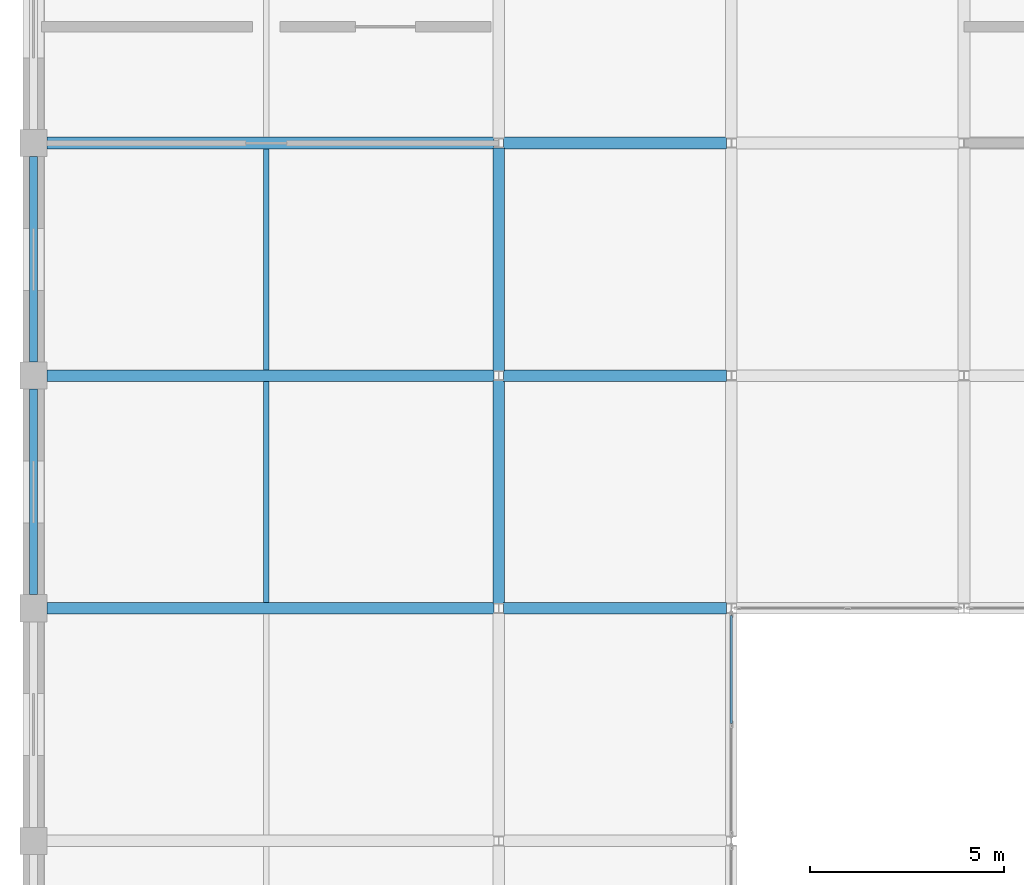
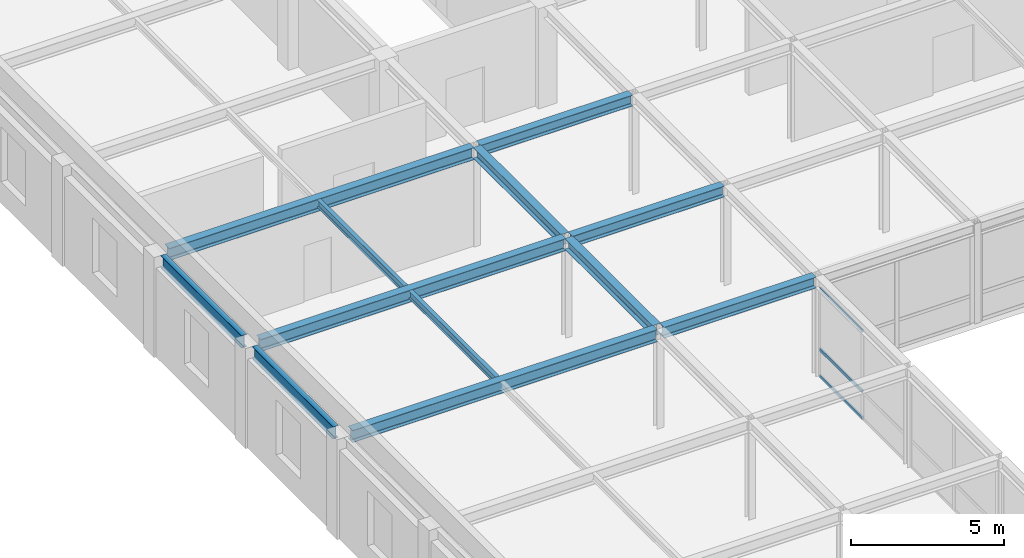
# One storey, part 70 of 111: 12 beams, 3 members, 1 element without a shape of its own.
"""IFC4 building model written with IfcOpenShell, lengths in metres."""

from ifc_helpers import new_model, si_unit, direction, frame, origin, origin_2d, place, context, subcontext, project, spatial, hollow_rectangle, i_section, extrude, material, layer, layer_set, material_profile, profile_set, type_object, element, aggregate, save


model = new_model("IFC4")

# Units and contexts
model_context = context("Model", 3, precision=1e-05, world=origin(), true_north=direction((0.0, 1.0)))
body_context = subcontext(model_context, "Body", "Model", "MODEL_VIEW")
ifc_project = project(units=[si_unit("LENGTHUNIT", "METRE"), si_unit("AREAUNIT", "SQUARE_METRE"), si_unit("VOLUMEUNIT", "CUBIC_METRE"), si_unit("PLANEANGLEUNIT", "RADIAN"), si_unit("MASSUNIT", "GRAM", prefix="KILO")], contexts=[model_context])

# Site, building, storey
site_placement = place(None, origin())
site = spatial("IfcSite", under=ifc_project, at=site_placement, CompositionType="ELEMENT")
building_placement = place(site_placement, origin())
building = spatial("IfcBuilding", under=site, at=building_placement, Name="Zlatovratsky Civic Hall", CompositionType="ELEMENT")
storey_placement = place(building_placement, frame((0.0, 0.0, 16.5)))
storey = spatial("IfcBuildingStorey", under=building, at=storey_placement, Name="L04", CompositionType="ELEMENT", Elevation=16.5)

# Beams
ifc_material_1 = material(Name="Steel S355", Category="steel")
ifc_material_profile_1 = material_profile(ifc_material_1, i_section(OverallWidth=0.300048828125, OverallDepth=0.487060546875, WebThickness=0.014404296875, FlangeThickness=0.017578125, FilletRadius=0.02392578125, at=origin_2d()), Name="50Sh2")
ifc_profile_set_1 = profile_set([ifc_material_profile_1], Name="Steel S355")
beam_type_1 = type_object("IfcBeamType", Name="Beam_ArchiveGirder_50Sh2", PredefinedType="BEAM", material=ifc_profile_set_1)
for number, where, z_axis, x_axis, name in (
    (1, (0.35009765625, 66.0, 3.756591796875), (1.0, 0.0, 0.0), (0.0, 1.0, 0.0), "BM-3330"),
    (2, (0.35009765625, 72.0, 3.756591796875), (1.0, 0.0, 0.0), (0.0, 1.0, 0.0), "BM-3346"),
    (3, (0.35009765625, 78.0, 3.756591796875), (1.0, 0.0, 0.0), (0.0, 1.0, 0.0), "BM-3362"),
):
    element("IfcBeam", number, at=place(storey_placement, frame(where, z_axis=z_axis, x_axis=x_axis)), inside=storey, type_object=beam_type_1, Name=name, PredefinedType="BEAM", context=body_context, shape_type="SweptSolid", body=[
        extrude(i_section(OverallWidth=0.300048828125, OverallDepth=0.487060546875, WebThickness=0.014404296875, FlangeThickness=0.017578125, FilletRadius=0.02392578125, at=origin_2d()), origin(), (0.0, 0.0, 1.0), 11.52490234375),
    ])
ifc_material_profile_2 = material_profile(ifc_material_1, i_section(OverallWidth=0.198974609375, OverallDepth=0.491943359375, WebThickness=0.0087890625, FlangeThickness=0.011962890625, FilletRadius=0.01611328125, at=origin_2d()), Name="50B1")
ifc_profile_set_2 = profile_set([ifc_material_profile_2], Name="Steel S355")
beam_type_2 = type_object("IfcBeamType", Name="Beam_Spandrel_50B1", PredefinedType="SPANDREL", material=ifc_profile_set_2)
for number, where, z_axis, x_axis, name in (
    (4, (0.0, 66.35009765625, 3.75390625), (0.0, 1.0, 0.0), (-1.0, 0.0, 0.0), "BM-3521"),
    (5, (0.0, 72.35009765625, 3.75390625), (0.0, 1.0, 0.0), (-1.0, 0.0, 0.0), "BM-3522"),
):
    element("IfcBeam", number, at=place(storey_placement, frame(where, z_axis=z_axis, x_axis=x_axis)), inside=storey, type_object=beam_type_2, Name=name, PredefinedType="SPANDREL", context=body_context, shape_type="SweptSolid", body=[
        extrude(i_section(OverallWidth=0.198974609375, OverallDepth=0.491943359375, WebThickness=0.0087890625, FlangeThickness=0.011962890625, FilletRadius=0.01611328125, at=origin_2d()), origin(), (0.0, 0.0, 1.0), 5.2998046875),
    ])
ifc_material_profile_3 = material_profile(ifc_material_1, i_section(OverallWidth=0.300048828125, OverallDepth=0.43994140625, WebThickness=0.010986328125, FlangeThickness=0.01806640625, FilletRadius=0.02197265625, at=origin_2d()), Name="45Sh1")
ifc_profile_set_3 = profile_set([ifc_material_profile_3], Name="Steel S355")
beam_type_3 = type_object("IfcBeamType", Name="Beam_TowerLow_45Sh1", PredefinedType="BEAM", material=ifc_profile_set_3)
for number, where, z_axis, x_axis, name in (
    (6, (12.125, 66.0, 3.780029296875), (1.0, 0.0, 0.0), (0.0, 1.0, 0.0), "BM-3331"),
    (7, (12.125, 72.0, 3.780029296875), (1.0, 0.0, 0.0), (0.0, 1.0, 0.0), "BM-3347"),
    (8, (12.125, 78.0, 3.780029296875), (1.0, 0.0, 0.0), (0.0, 1.0, 0.0), "BM-3363"),
    (9, (12.0, 66.125, 3.780029296875), (0.0, 1.0, 0.0), (-1.0, 0.0, 0.0), "BM-3538"),
    (10, (12.0, 72.125, 3.780029296875), (0.0, 1.0, 0.0), (-1.0, 0.0, 0.0), "BM-3539"),
):
    element("IfcBeam", number, at=place(storey_placement, frame(where, z_axis=z_axis, x_axis=x_axis)), inside=storey, type_object=beam_type_3, Name=name, PredefinedType="BEAM", context=body_context, shape_type="SweptSolid", body=[
        extrude(i_section(OverallWidth=0.300048828125, OverallDepth=0.43994140625, WebThickness=0.010986328125, FlangeThickness=0.01806640625, FilletRadius=0.02197265625, at=origin_2d()), origin(), (0.0, 0.0, 1.0), 5.75),
    ])

# Curtain wall, members
ifc_material_2 = material(Name="Anodised bronze aluminium", Category="aluminium")
ifc_layer = layer(ifc_material_2, 0.159912109375)
ifc_layer_set = layer_set([ifc_layer], Name="Anodised bronze aluminium")
curtain_wall_type = type_object("IfcCurtainWallType", Name="CurtainWall_Bronze_5750x3550_18", PredefinedType="NOTDEFINED", material=ifc_layer_set)
curtain_wall_placement = place(storey_placement, origin())
curtain_wall = element("IfcCurtainWall", 11, at=curtain_wall_placement, inside=storey, type_object=curtain_wall_type, Name="CW-104", PredefinedType="NOTDEFINED")
ifc_material_profile_4 = material_profile(ifc_material_2, hollow_rectangle(XDim=0.06005859375, YDim=0.1201171875, WallThickness=0.00390625, at=origin_2d()), Name="ALU 60x120x4")
ifc_profile_set_4 = profile_set([ifc_material_profile_4], Name="Anodised bronze aluminium")
member_type = type_object("IfcMemberType", Name="CW_Transom_60x120", PredefinedType="USERDEFINED", material=ifc_profile_set_4)
member_1_placement = place(storey_placement, frame((18.0, 63.030029296875, 0.030029296875), z_axis=(0.0, 1.0, 0.0), x_axis=(-1.0, 0.0, 0.0)))
member_1 = element("IfcMember", 12, at=member_1_placement, type_object=member_type, Name="CW-18 transom 2.1", ObjectType="TRANSOM", PredefinedType="USERDEFINED", context=body_context, shape_type="SweptSolid", body=[
    extrude(hollow_rectangle(XDim=0.06005859375, YDim=0.1201171875, WallThickness=0.00390625, at=origin_2d()), origin(), (0.0, 0.0, 1.0), 2.784912109375),
])
member_2_placement = place(storey_placement, frame((18.0, 63.030029296875, 1.10009765625), z_axis=(0.0, 1.0, 0.0), x_axis=(-1.0, 0.0, 0.0)))
member_2 = element("IfcMember", 13, at=member_2_placement, type_object=member_type, Name="CW-18 transom 2.2", ObjectType="TRANSOM", PredefinedType="USERDEFINED", context=body_context, shape_type="SweptSolid", body=[
    extrude(hollow_rectangle(XDim=0.06005859375, YDim=0.1201171875, WallThickness=0.00390625, at=origin_2d()), origin(), (0.0, 0.0, 1.0), 2.784912109375),
])
member_3_placement = place(storey_placement, frame((18.0, 63.030029296875, 3.52001953125), z_axis=(0.0, 1.0, 0.0), x_axis=(-1.0, 0.0, 0.0)))
member_3 = element("IfcMember", 14, at=member_3_placement, type_object=member_type, Name="CW-18 transom 2.3", ObjectType="TRANSOM", PredefinedType="USERDEFINED", context=body_context, shape_type="SweptSolid", body=[
    extrude(hollow_rectangle(XDim=0.06005859375, YDim=0.1201171875, WallThickness=0.00390625, at=origin_2d()), origin(), (0.0, 0.0, 1.0), 2.784912109375),
])
aggregate(curtain_wall, [member_1, member_2, member_3])

# Beams
ifc_material_profile_5 = material_profile(ifc_material_1, i_section(OverallWidth=0.14892578125, OverallDepth=0.2958984375, WebThickness=0.005615234375, FlangeThickness=0.008056640625, FilletRadius=0.012939453125, at=origin_2d()), Name="30B1")
ifc_profile_set_5 = profile_set([ifc_material_profile_5], Name="Steel S355")
beam_type_4 = type_object("IfcBeamType", Name="Joist_Tower_30B1", PredefinedType="JOIST", material=ifc_profile_set_5)
for number, where, z_axis, x_axis, name in (
    (15, (6.0, 66.14990234375, 3.85205078125), (0.0, 1.0, 0.0), (-1.0, 0.0, 0.0), "BM-3859"),
    (16, (6.0, 72.14990234375, 3.85205078125), (0.0, 1.0, 0.0), (-1.0, 0.0, 0.0), "BM-3865"),
):
    element("IfcBeam", number, at=place(storey_placement, frame(where, z_axis=z_axis, x_axis=x_axis)), inside=storey, type_object=beam_type_4, Name=name, PredefinedType="JOIST", context=body_context, shape_type="SweptSolid", body=[
        extrude(i_section(OverallWidth=0.14892578125, OverallDepth=0.2958984375, WebThickness=0.005615234375, FlangeThickness=0.008056640625, FilletRadius=0.012939453125, at=origin_2d()), origin(), (0.0, 0.0, 1.0), 5.7001953125),
    ])

save(model, "model.ifc")
